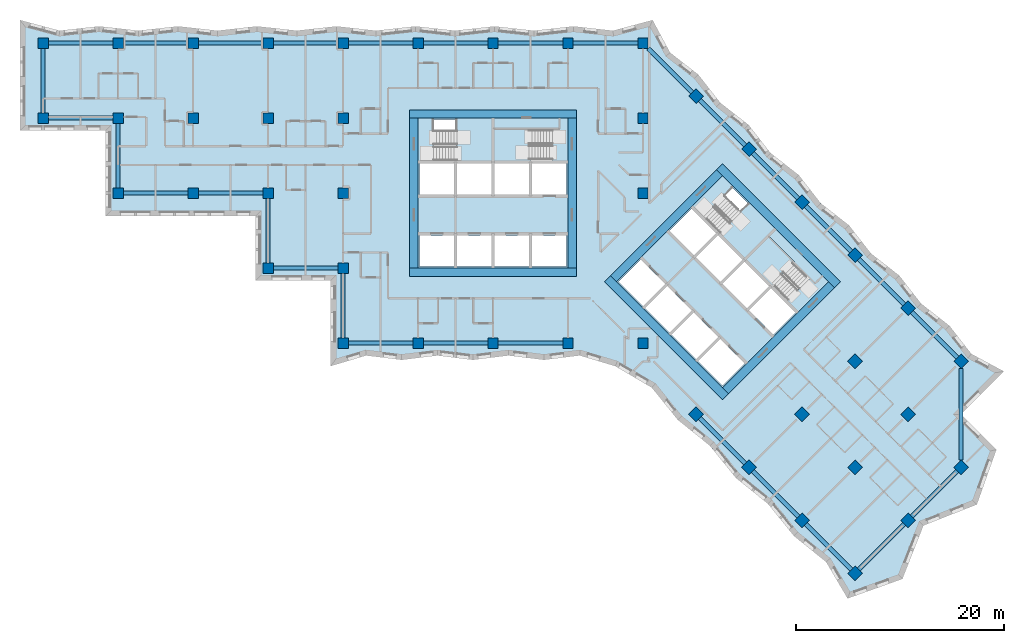
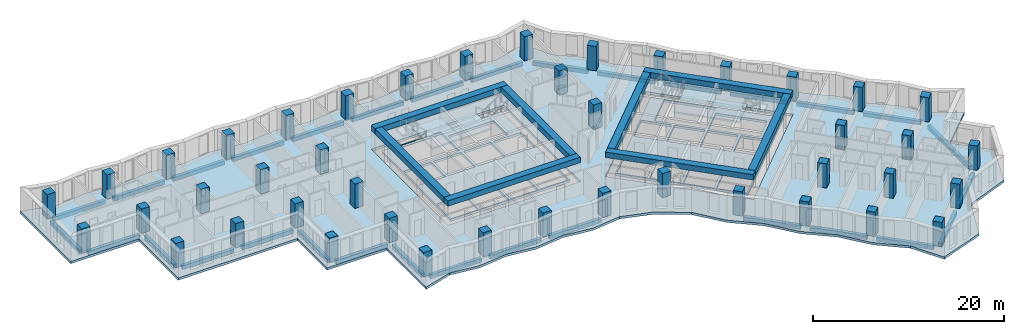
# One storey, part 1 of 13: 43 columns, 39 beams, 7 slabs, 22 openings, 4 elements without a shape of their own.
"""IFC4 building model written with IfcOpenShell, lengths in metres."""

from ifc_helpers import new_model, si_unit, direction, frame, origin, origin_2d, place, context, subcontext, project, spatial, polyline, rectangle, outline, extrude, material, layer, layer_set, material_profile, profile_set, type_object, element, aggregate, save


model = new_model("IFC4")

# Units and contexts
model_context = context("Model", 3, precision=1e-05, world=origin(), true_north=direction((0.0, 1.0)))
body_context = subcontext(model_context, "Body", "Model", "MODEL_VIEW")
ifc_project = project(units=[si_unit("LENGTHUNIT", "METRE"), si_unit("AREAUNIT", "SQUARE_METRE"), si_unit("VOLUMEUNIT", "CUBIC_METRE"), si_unit("PLANEANGLEUNIT", "RADIAN"), si_unit("MASSUNIT", "GRAM", prefix="KILO")], contexts=[model_context])

# Site, building, storey
site_placement = place(None, origin())
site = spatial("IfcSite", under=ifc_project, at=site_placement, CompositionType="ELEMENT")
building_placement = place(site_placement, origin())
building = spatial("IfcBuilding", under=site, at=building_placement, Name="Windrow Commons", CompositionType="ELEMENT")
storey_placement = place(building_placement, frame((0.0, 0.0, 94.8)))
storey = spatial("IfcBuildingStorey", under=building, at=storey_placement, Name="L25", CompositionType="ELEMENT", Elevation=94.8)

# Columns
ifc_material_1 = material(Name="Concrete C60/75", Category="concrete")
ifc_material_profile_1 = material_profile(ifc_material_1, rectangle(XDim=1.0, YDim=1.0, at=origin_2d()))
ifc_profile_set_1 = profile_set([ifc_material_profile_1], Name="Concrete C60/75")
column_type = type_object("IfcColumnType", Name="RC COLUMN 1000x1000 C60/75", PredefinedType="COLUMN", material=ifc_profile_set_1)
for number, where, z_axis, x_axis, name in (
    (1, (21.6, 64.8, 0.0), (0.0, 0.0, 1.0), (1.0, 0.0, 0.0), "C-Z2-04I"),
    (2, (21.6, 72.0, 0.0), (0.0, 0.0, 1.0), (1.0, 0.0, 0.0), "C-Z2-04J"),
    (3, (28.8, 57.6, 0.0), (0.0, 0.0, 1.0), (1.0, 0.0, 0.0), "C-Z2-05H"),
    (4, (28.8, 64.8, 0.0), (0.0, 0.0, 1.0), (1.0, 0.0, 0.0), "C-Z2-05I"),
    (5, (28.8, 72.0, 0.0), (0.0, 0.0, 1.0), (1.0, 0.0, 0.0), "C-Z2-05J"),
    (6, (36.0, 57.6, 0.0), (0.0, 0.0, 1.0), (1.0, 0.0, 0.0), "C-Z2-06H"),
    (7, (36.0, 64.8, 0.0), (0.0, 0.0, 1.0), (1.0, 0.0, 0.0), "C-Z2-06I"),
    (8, (36.0, 72.0, 0.0), (0.0, 0.0, 1.0), (1.0, 0.0, 0.0), "C-Z2-06J"),
    (9, (43.2, 50.4, 0.0), (0.0, 0.0, 1.0), (1.0, 0.0, 0.0), "C-Z2-07G"),
    (10, (43.2, 57.6, 0.0), (0.0, 0.0, 1.0), (1.0, 0.0, 0.0), "C-Z2-07H"),
    (11, (43.2, 64.8, 0.0), (0.0, 0.0, 1.0), (1.0, 0.0, 0.0), "C-Z2-07I"),
    (12, (43.2, 72.0, 0.0), (0.0, 0.0, 1.0), (1.0, 0.0, 0.0), "C-Z2-07J"),
    (13, (50.4, 43.2, 0.0), (0.0, 0.0, 1.0), (1.0, 0.0, 0.0), "C-Z2-08F"),
    (14, (50.4, 50.4, 0.0), (0.0, 0.0, 1.0), (1.0, 0.0, 0.0), "C-Z2-08G"),
    (15, (50.4, 57.6, 0.0), (0.0, 0.0, 1.0), (1.0, 0.0, 0.0), "C-Z2-08H"),
    (16, (50.4, 64.8, 0.0), (0.0, 0.0, 1.0), (1.0, 0.0, 0.0), "C-Z2-08I"),
    (17, (50.4, 72.0, 0.0), (0.0, 0.0, 1.0), (1.0, 0.0, 0.0), "C-Z2-08J"),
    (18, (57.6, 43.2, 0.0), (0.0, 0.0, 1.0), (1.0, 0.0, 0.0), "C-Z2-09F"),
    (19, (57.6, 72.0, 0.0), (0.0, 0.0, 1.0), (1.0, 0.0, 0.0), "C-Z2-09J"),
    (20, (64.8, 43.2, 0.0), (0.0, 0.0, 1.0), (1.0, 0.0, 0.0), "C-Z2-10F"),
    (21, (64.8, 72.0, 0.0), (0.0, 0.0, 1.0), (1.0, 0.0, 0.0), "C-Z2-10J"),
    (22, (72.0, 43.2, 0.0), (0.0, 0.0, 1.0), (1.0, 0.0, 0.0), "C-Z2-11F"),
    (23, (72.0, 72.0, 0.0), (0.0, 0.0, 1.0), (1.0, 0.0, 0.0), "C-Z2-11J"),
    (24, (79.2, 43.2, 0.0), (0.0, 0.0, 1.0), (1.0, 0.0, 0.0), "C-Z2-12F"),
    (25, (79.2, 57.6, 0.0), (0.0, 0.0, 1.0), (1.0, 0.0, 0.0), "C-Z2-12H"),
    (26, (79.2, 64.8, 0.0), (0.0, 0.0, 1.0), (1.0, 0.0, 0.0), "C-Z2-12I"),
    (27, (79.2, 72.0, 0.0), (0.0, 0.0, 1.0), (1.0, 0.0, 0.0), "C-Z2-12J"),
    (28, (84.2912, 66.9088, 0.0), (0.0, 0.0, 1.0), (0.7071067812, -0.7071067812, 0.0), "C-Z2-P2Q"),
    (29, (89.3823, 61.8177, 0.0), (0.0, 0.0, 1.0), (0.7071067812, -0.7071067812, 0.0), "C-Z2-P3Q"),
    (30, (94.4735, 56.7265, 0.0), (0.0, 0.0, 1.0), (0.7071067812, -0.7071067812, 0.0), "C-Z2-P4Q"),
    (31, (99.5647, 51.6353, 0.0), (0.0, 0.0, 1.0), (0.7071067812, -0.7071067812, 0.0), "C-Z2-P5Q"),
    (32, (84.2912, 36.3618, 0.0), (0.0, 0.0, 1.0), (0.7071067812, -0.7071067812, 0.0), "C-Z2-P5T"),
    (33, (104.6558, 46.5442, 0.0), (0.0, 0.0, 1.0), (0.7071067812, -0.7071067812, 0.0), "C-Z2-P6Q"),
    (34, (99.5647, 41.453, 0.0), (0.0, 0.0, 1.0), (0.7071067812, -0.7071067812, 0.0), "C-Z2-P6R"),
    (35, (94.4735, 36.3618, 0.0), (0.0, 0.0, 1.0), (0.7071067812, -0.7071067812, 0.0), "C-Z2-P6S"),
    (36, (89.3823, 31.2706, 0.0), (0.0, 0.0, 1.0), (0.7071067812, -0.7071067812, 0.0), "C-Z2-P6T"),
    (37, (109.747, 41.453, 0.0), (0.0, 0.0, 1.0), (0.7071067812, -0.7071067812, 0.0), "C-Z2-P7Q"),
    (38, (104.6558, 36.3618, 0.0), (0.0, 0.0, 1.0), (0.7071067812, -0.7071067812, 0.0), "C-Z2-P7R"),
    (39, (99.5647, 31.2706, 0.0), (0.0, 0.0, 1.0), (0.7071067812, -0.7071067812, 0.0), "C-Z2-P7S"),
    (40, (94.4735, 26.1795, 0.0), (0.0, 0.0, 1.0), (0.7071067812, -0.7071067812, 0.0), "C-Z2-P7T"),
    (41, (109.747, 31.2706, 0.0), (0.0, 0.0, 1.0), (0.7071067812, -0.7071067812, 0.0), "C-Z2-P8R"),
    (42, (104.6558, 26.1795, 0.0), (0.0, 0.0, 1.0), (0.7071067812, -0.7071067812, 0.0), "C-Z2-P8S"),
    (43, (99.5647, 21.0883, 0.0), (0.0, 0.0, 1.0), (0.7071067812, -0.7071067812, 0.0), "C-Z2-P8T"),
):
    element("IfcColumn", number, at=place(storey_placement, frame(where, z_axis=z_axis, x_axis=x_axis)), inside=storey, type_object=column_type, Name=name, PredefinedType="COLUMN", context=body_context, shape_type="SweptSolid", body=[
        extrude(rectangle(XDim=1.0, YDim=1.0, at=origin_2d()), origin(), (0.0, 0.0, 1.0), 3.1),
    ])

# Beams
ifc_material_2 = material(Name="Concrete C50/60", Category="concrete")
ifc_material_profile_2 = material_profile(ifc_material_2, rectangle(XDim=0.8, YDim=0.7, at=origin_2d()))
ifc_profile_set_2 = profile_set([ifc_material_profile_2], Name="Concrete C50/60")
beam_type_1 = type_object("IfcBeamType", Name="RC COUPLING BEAM 800x700 C50/60", PredefinedType="LINTEL", material=ifc_profile_set_2)
for number, where, z_axis, x_axis, name in (
    (44, (56.8, 50.0, 2.75), (1.0, 0.0, 0.0), (0.0, 1.0, 0.0), "Core A coupling beam outer-S"),
    (45, (56.8, 65.2, 2.75), (1.0, 0.0, 0.0), (0.0, 1.0, 0.0), "Core A coupling beam outer-N"),
):
    element("IfcBeam", number, at=place(storey_placement, frame(where, z_axis=z_axis, x_axis=x_axis)), inside=storey, type_object=beam_type_1, Name=name, PredefinedType="LINTEL", context=body_context, shape_type="SweptSolid", body=[
        extrude(rectangle(XDim=0.8, YDim=0.7, at=origin_2d()), origin(), (0.0, 0.0, 1.0), 16.0),
    ])
for number, where, z_axis, x_axis, name in (
    (46, (57.2, 50.4, 2.75), (0.0, 1.0, 0.0), (-1.0, 0.0, 0.0), "Core A coupling beam outer-W"),
    (47, (72.4, 50.4, 2.75), (0.0, 1.0, 0.0), (-1.0, 0.0, 0.0), "Core A coupling beam outer-E"),
):
    element("IfcBeam", number, at=place(storey_placement, frame(where, z_axis=z_axis, x_axis=x_axis)), inside=storey, type_object=beam_type_1, Name=name, PredefinedType="LINTEL", context=body_context, shape_type="SweptSolid", body=[
        extrude(rectangle(XDim=0.8, YDim=0.7, at=origin_2d()), origin(), (0.0, 0.0, 1.0), 14.4),
    ])
for number, where, z_axis, x_axis, name in (
    (48, (75.8059, 49.3726, 2.75), (0.7071067812, -0.7071067812, 0.0), (0.7071067812, 0.7071067812, 0.0), "Core B coupling beam outer-S"),
    (49, (86.5539, 60.1206, 2.75), (0.7071067812, -0.7071067812, 0.0), (0.7071067812, 0.7071067812, 0.0), "Core B coupling beam outer-N"),
):
    element("IfcBeam", number, at=place(storey_placement, frame(where, z_axis=z_axis, x_axis=x_axis)), inside=storey, type_object=beam_type_1, Name=name, PredefinedType="LINTEL", context=body_context, shape_type="SweptSolid", body=[
        extrude(rectangle(XDim=0.8, YDim=0.7, at=origin_2d()), origin(), (0.0, 0.0, 1.0), 16.0),
    ])
for number, where, z_axis, x_axis, name in (
    (50, (76.3716, 49.3726, 2.75), (0.7071067812, 0.7071067812, 0.0), (-0.7071067812, 0.7071067812, 0.0), "Core B coupling beam outer-W"),
    (51, (87.1196, 38.6246, 2.75), (0.7071067812, 0.7071067812, 0.0), (-0.7071067812, 0.7071067812, 0.0), "Core B coupling beam outer-E"),
):
    element("IfcBeam", number, at=place(storey_placement, frame(where, z_axis=z_axis, x_axis=x_axis)), inside=storey, type_object=beam_type_1, Name=name, PredefinedType="LINTEL", context=body_context, shape_type="SweptSolid", body=[
        extrude(rectangle(XDim=0.8, YDim=0.7, at=origin_2d()), origin(), (0.0, 0.0, 1.0), 14.3999),
    ])
ifc_material_3 = material(Name="Concrete C50/60", Category="concrete")
ifc_material_profile_3 = material_profile(ifc_material_3, rectangle(XDim=0.4, YDim=0.5, at=origin_2d()))
ifc_profile_set_3 = profile_set([ifc_material_profile_3], Name="Concrete C50/60")
beam_type_2 = type_object("IfcBeamType", Name="RC EDGE BEAM 400x500 C50/60", PredefinedType="SPANDREL", material=ifc_profile_set_3)
for number, where, z_axis, x_axis, name in (
    (52, (35.5, 57.6, -0.55), (-1.0, 0.0, 0.0), (0.0, -1.0, 0.0), "Edge beam L25 001"),
    (53, (28.8, 58.1, -0.55), (0.0, 1.0, 0.0), (-1.0, 0.0, 0.0), "Edge beam L25 002"),
    (54, (28.3, 64.8, -0.55), (-1.0, 0.0, 0.0), (0.0, -1.0, 0.0), "Edge beam L25 003"),
    (55, (21.6, 65.3, -0.55), (0.0, 1.0, 0.0), (-1.0, 0.0, 0.0), "Edge beam L25 004"),
    (56, (22.1, 72.0, -0.55), (1.0, 0.0, 0.0), (0.0, 1.0, 0.0), "Edge beam L25 005"),
    (57, (29.3, 72.0, -0.55), (1.0, 0.0, 0.0), (0.0, 1.0, 0.0), "Edge beam L25 006"),
    (58, (36.5, 72.0, -0.55), (1.0, 0.0, 0.0), (0.0, 1.0, 0.0), "Edge beam L25 007"),
    (59, (43.7, 72.0, -0.55), (1.0, 0.0, 0.0), (0.0, 1.0, 0.0), "Edge beam L25 008"),
    (60, (50.9, 72.0, -0.55), (1.0, 0.0, 0.0), (0.0, 1.0, 0.0), "Edge beam L25 009"),
    (61, (58.1, 72.0, -0.55), (1.0, 0.0, 0.0), (0.0, 1.0, 0.0), "Edge beam L25 010"),
    (62, (65.3, 72.0, -0.55), (1.0, 0.0, 0.0), (0.0, 1.0, 0.0), "Edge beam L25 011"),
    (63, (72.5, 72.0, -0.55), (1.0, 0.0, 0.0), (0.0, 1.0, 0.0), "Edge beam L25 012"),
):
    element("IfcBeam", number, at=place(storey_placement, frame(where, z_axis=z_axis, x_axis=x_axis)), inside=storey, type_object=beam_type_2, Name=name, PredefinedType="SPANDREL", context=body_context, shape_type="SweptSolid", body=[
        extrude(rectangle(XDim=0.4, YDim=0.5, at=origin_2d()), origin(), (0.0, 0.0, 1.0), 6.2),
    ])
beam_1_placement = place(storey_placement, frame((79.7, 71.5, -0.55), z_axis=(0.7071067812, -0.7071067812, 0.0), x_axis=(0.7071067812, 0.7071067812, 0.0)))
element("IfcBeam", 64, at=beam_1_placement, inside=storey, type_object=beam_type_2, Name="Edge beam L25 013", PredefinedType="SPANDREL", context=body_context, shape_type="SweptSolid", body=[
    extrude(rectangle(XDim=0.4, YDim=0.5, at=origin_2d()), origin(), (0.0, 0.0, 1.0), 5.9929),
])
beam_2_placement = place(storey_placement, frame((84.6448, 66.5552, -0.55), z_axis=(0.7071067812, -0.7071067812, 0.0), x_axis=(0.7071067812, 0.7071067812, 0.0)))
element("IfcBeam", 65, at=beam_2_placement, inside=storey, type_object=beam_type_2, Name="Edge beam L25 014", PredefinedType="SPANDREL", context=body_context, shape_type="SweptSolid", body=[
    extrude(rectangle(XDim=0.4, YDim=0.5, at=origin_2d()), origin(), (0.0, 0.0, 1.0), 6.1998),
])
for number, where, z_axis, x_axis, name in (
    (66, (89.7359, 61.4641, -0.55), (0.7071067812, -0.7071067812, 0.0), (0.7071067812, 0.7071067812, 0.0), "Edge beam L25 015"),
    (67, (94.8271, 56.3729, -0.55), (0.7071067812, -0.7071067812, 0.0), (0.7071067812, 0.7071067812, 0.0), "Edge beam L25 016"),
):
    element("IfcBeam", number, at=place(storey_placement, frame(where, z_axis=z_axis, x_axis=x_axis)), inside=storey, type_object=beam_type_2, Name=name, PredefinedType="SPANDREL", context=body_context, shape_type="SweptSolid", body=[
        extrude(rectangle(XDim=0.4, YDim=0.5, at=origin_2d()), origin(), (0.0, 0.0, 1.0), 6.1999),
    ])
beam_3_placement = place(storey_placement, frame((99.9183, 51.2817, -0.55), z_axis=(0.7071067812, -0.7071067812, 0.0), x_axis=(0.7071067812, 0.7071067812, 0.0)))
element("IfcBeam", 68, at=beam_3_placement, inside=storey, type_object=beam_type_2, Name="Edge beam L25 017", PredefinedType="SPANDREL", context=body_context, shape_type="SweptSolid", body=[
    extrude(rectangle(XDim=0.4, YDim=0.5, at=origin_2d()), origin(), (0.0, 0.0, 1.0), 6.1998),
])
beam_4_placement = place(storey_placement, frame((105.0094, 46.1906, -0.55), z_axis=(0.7071067812, -0.7071067812, 0.0), x_axis=(0.7071067812, 0.7071067812, 0.0)))
element("IfcBeam", 69, at=beam_4_placement, inside=storey, type_object=beam_type_2, Name="Edge beam L25 018", PredefinedType="SPANDREL", context=body_context, shape_type="SweptSolid", body=[
    extrude(rectangle(XDim=0.4, YDim=0.5, at=origin_2d()), origin(), (0.0, 0.0, 1.0), 6.1999),
])
beam_5_placement = place(storey_placement, frame((109.747, 40.7459, -0.55), z_axis=(0.0, -1.0, 0.0), x_axis=(1.0, 0.0, 0.0)))
element("IfcBeam", 70, at=beam_5_placement, inside=storey, type_object=beam_type_2, Name="Edge beam L25 019", PredefinedType="SPANDREL", context=body_context, shape_type="SweptSolid", body=[
    extrude(rectangle(XDim=0.4, YDim=0.5, at=origin_2d()), origin(), (0.0, 0.0, 1.0), 8.7682),
])
for number, where, z_axis, x_axis, name in (
    (71, (109.3934, 30.917, -0.55), (-0.7071148459, -0.7070987164, 0.0), (0.7070987164, -0.7071148459, 0.0), "Edge beam L25 020"),
    (72, (104.3022, 25.8259, -0.55), (-0.7070987164, -0.7071148459, 0.0), (0.7071148459, -0.7070987164, 0.0), "Edge beam L25 021"),
):
    element("IfcBeam", number, at=place(storey_placement, frame(where, z_axis=z_axis, x_axis=x_axis)), inside=storey, type_object=beam_type_2, Name=name, PredefinedType="SPANDREL", context=body_context, shape_type="SweptSolid", body=[
        extrude(rectangle(XDim=0.4, YDim=0.5, at=origin_2d()), origin(), (0.0, 0.0, 1.0), 6.1998),
    ])
beam_6_placement = place(storey_placement, frame((99.2111, 21.4419, -0.55), z_axis=(-0.7071067812, 0.7071067812, 0.0), x_axis=(-0.7071067812, -0.7071067812, 0.0)))
element("IfcBeam", 73, at=beam_6_placement, inside=storey, type_object=beam_type_2, Name="Edge beam L25 022", PredefinedType="SPANDREL", context=body_context, shape_type="SweptSolid", body=[
    extrude(rectangle(XDim=0.4, YDim=0.5, at=origin_2d()), origin(), (0.0, 0.0, 1.0), 6.1999),
])
for number, where, z_axis, x_axis, name in (
    (74, (94.1199, 26.5331, -0.55), (-0.7071148459, 0.7070987164, 0.0), (-0.7070987164, -0.7071148459, 0.0), "Edge beam L25 023"),
    (75, (89.0287, 31.6242, -0.55), (-0.7070987164, 0.7071148459, 0.0), (-0.7071148459, -0.7070987164, 0.0), "Edge beam L25 024"),
):
    element("IfcBeam", number, at=place(storey_placement, frame(where, z_axis=z_axis, x_axis=x_axis)), inside=storey, type_object=beam_type_2, Name=name, PredefinedType="SPANDREL", context=body_context, shape_type="SweptSolid", body=[
        extrude(rectangle(XDim=0.4, YDim=0.5, at=origin_2d()), origin(), (0.0, 0.0, 1.0), 6.1998),
    ])
for number, where, z_axis, x_axis, name in (
    (76, (71.5, 43.2, -0.55), (-1.0, 0.0, 0.0), (0.0, -1.0, 0.0), "Edge beam L25 025"),
    (77, (64.3, 43.2, -0.55), (-1.0, 0.0, 0.0), (0.0, -1.0, 0.0), "Edge beam L25 026"),
    (78, (57.1, 43.2, -0.55), (-1.0, 0.0, 0.0), (0.0, -1.0, 0.0), "Edge beam L25 027"),
    (79, (50.4, 43.7, -0.55), (0.0, 1.0, 0.0), (-1.0, 0.0, 0.0), "Edge beam L25 028"),
    (80, (49.9, 50.4, -0.55), (-1.0, 0.0, 0.0), (0.0, -1.0, 0.0), "Edge beam L25 029"),
    (81, (43.2, 50.9, -0.55), (0.0, 1.0, 0.0), (-1.0, 0.0, 0.0), "Edge beam L25 030"),
    (82, (42.7, 57.6, -0.55), (-1.0, 0.0, 0.0), (0.0, -1.0, 0.0), "Edge beam L25 031"),
):
    element("IfcBeam", number, at=place(storey_placement, frame(where, z_axis=z_axis, x_axis=x_axis)), inside=storey, type_object=beam_type_2, Name=name, PredefinedType="SPANDREL", context=body_context, shape_type="SweptSolid", body=[
        extrude(rectangle(XDim=0.4, YDim=0.5, at=origin_2d()), origin(), (0.0, 0.0, 1.0), 6.2),
    ])

# Slab, openings
ifc_material_4 = material(Name="Concrete C50/60", Category="concrete")
ifc_layer_1 = layer(ifc_material_4, 0.3)
ifc_layer_set_1 = layer_set([ifc_layer_1], Name="CORE FLOOR SLAB 300 C50/60")
slab_type_1 = type_object("IfcSlabType", Name="CORE FLOOR SLAB 300 C50/60", PredefinedType="FLOOR", material=ifc_layer_set_1)
placement_1 = place(storey_placement, frame((0.0, 0.0, -0.3)))
slab_1 = element("IfcSlab", 83, at=placement_1, inside=storey, type_object=slab_type_1, Name="S-L25-core-A", PredefinedType="FLOOR", context=body_context, shape_type="SweptSolid", body=[
    extrude(outline(polyline([(57.6, 50.4), (72.0, 50.4), (72.0, 64.8), (57.6, 64.8), (57.6, 50.4)]), holes=[polyline([(57.75, 50.55), (61.05, 50.55), (61.05, 53.55), (57.75, 53.55), (57.75, 50.55)]), polyline([(61.35, 50.55), (64.65, 50.55), (64.65, 53.55), (61.35, 53.55), (61.35, 50.55)]), polyline([(64.95, 50.55), (68.25, 50.55), (68.25, 53.55), (64.95, 53.55), (64.95, 50.55)]), polyline([(68.55, 50.55), (71.85, 50.55), (71.85, 53.55), (68.55, 53.55), (68.55, 50.55)]), polyline([(57.75, 57.45), (61.05, 57.45), (61.05, 60.45), (57.75, 60.45), (57.75, 57.45)]), polyline([(61.35, 57.45), (64.65, 57.45), (64.65, 60.45), (61.35, 60.45), (61.35, 57.45)]), polyline([(64.95, 57.45), (68.25, 57.45), (68.25, 60.45), (64.95, 60.45), (64.95, 57.45)]), polyline([(68.55, 57.45), (71.85, 57.45), (71.85, 60.45), (68.55, 60.45), (68.55, 57.45)]), polyline([(59.1, 60.75), (64.65, 60.75), (64.65, 64.65), (59.1, 64.65), (59.1, 60.75)]), polyline([(64.95, 60.75), (70.5, 60.75), (70.5, 63.705), (64.95, 63.705), (64.95, 60.75)])]), origin(), (0.0, 0.0, 1.0), 0.3),
])
opening_1_placement = place(placement_1, origin())
element("IfcOpeningElement", 84, at=opening_1_placement, cuts=slab_1, Name="Slab opening S-L25-core-A 1", PredefinedType="OPENING", context=body_context, shape_type="SweptSolid", body=[
    extrude(outline(polyline([(57.755, 50.555), (57.755, 53.545), (61.045, 53.545), (61.045, 50.555), (57.755, 50.555)])), origin(), (0.0, 0.0, 1.0), 0.3),
])
opening_2_placement = place(placement_1, origin())
element("IfcOpeningElement", 85, at=opening_2_placement, cuts=slab_1, Name="Slab opening S-L25-core-A 2", PredefinedType="OPENING", context=body_context, shape_type="SweptSolid", body=[
    extrude(outline(polyline([(61.355, 50.555), (61.355, 53.545), (64.645, 53.545), (64.645, 50.555), (61.355, 50.555)])), origin(), (0.0, 0.0, 1.0), 0.3),
])
opening_3_placement = place(placement_1, origin())
element("IfcOpeningElement", 86, at=opening_3_placement, cuts=slab_1, Name="Slab opening S-L25-core-A 3", PredefinedType="OPENING", context=body_context, shape_type="SweptSolid", body=[
    extrude(outline(polyline([(64.955, 50.555), (64.955, 53.545), (68.245, 53.545), (68.245, 50.555), (64.955, 50.555)])), origin(), (0.0, 0.0, 1.0), 0.3),
])
opening_4_placement = place(placement_1, origin())
element("IfcOpeningElement", 87, at=opening_4_placement, cuts=slab_1, Name="Slab opening S-L25-core-A 4", PredefinedType="OPENING", context=body_context, shape_type="SweptSolid", body=[
    extrude(outline(polyline([(68.555, 50.555), (68.555, 53.545), (71.845, 53.545), (71.845, 50.555), (68.555, 50.555)])), origin(), (0.0, 0.0, 1.0), 0.3),
])
opening_5_placement = place(placement_1, origin())
element("IfcOpeningElement", 88, at=opening_5_placement, cuts=slab_1, Name="Slab opening S-L25-core-A 5", PredefinedType="OPENING", context=body_context, shape_type="SweptSolid", body=[
    extrude(outline(polyline([(57.755, 57.455), (57.755, 60.445), (61.045, 60.445), (61.045, 57.455), (57.755, 57.455)])), origin(), (0.0, 0.0, 1.0), 0.3),
])
opening_6_placement = place(placement_1, origin())
element("IfcOpeningElement", 89, at=opening_6_placement, cuts=slab_1, Name="Slab opening S-L25-core-A 6", PredefinedType="OPENING", context=body_context, shape_type="SweptSolid", body=[
    extrude(outline(polyline([(61.355, 57.455), (61.355, 60.445), (64.645, 60.445), (64.645, 57.455), (61.355, 57.455)])), origin(), (0.0, 0.0, 1.0), 0.3),
])
opening_7_placement = place(placement_1, origin())
element("IfcOpeningElement", 90, at=opening_7_placement, cuts=slab_1, Name="Slab opening S-L25-core-A 7", PredefinedType="OPENING", context=body_context, shape_type="SweptSolid", body=[
    extrude(outline(polyline([(64.955, 57.455), (64.955, 60.445), (68.245, 60.445), (68.245, 57.455), (64.955, 57.455)])), origin(), (0.0, 0.0, 1.0), 0.3),
])
opening_8_placement = place(placement_1, origin())
element("IfcOpeningElement", 91, at=opening_8_placement, cuts=slab_1, Name="Slab opening S-L25-core-A 8", PredefinedType="OPENING", context=body_context, shape_type="SweptSolid", body=[
    extrude(outline(polyline([(68.555, 57.455), (68.555, 60.445), (71.845, 60.445), (71.845, 57.455), (68.555, 57.455)])), origin(), (0.0, 0.0, 1.0), 0.3),
])
opening_9_placement = place(placement_1, origin())
element("IfcOpeningElement", 92, at=opening_9_placement, cuts=slab_1, Name="Slab opening S-L25-core-A 9", PredefinedType="OPENING", context=body_context, shape_type="SweptSolid", body=[
    extrude(outline(polyline([(59.105, 60.755), (59.105, 64.645), (64.645, 64.645), (64.645, 60.755), (59.105, 60.755)])), origin(), (0.0, 0.0, 1.0), 0.3),
])
opening_10_placement = place(placement_1, origin())
element("IfcOpeningElement", 93, at=opening_10_placement, cuts=slab_1, Name="Slab opening S-L25-core-A 10", PredefinedType="OPENING", context=body_context, shape_type="SweptSolid", body=[
    extrude(outline(polyline([(64.955, 60.755), (64.955, 63.7), (70.495, 63.7), (70.495, 60.755), (64.955, 60.755)])), origin(), (0.0, 0.0, 1.0), 0.3),
])

slab_2 = element("IfcSlab", 94, at=placement_1, inside=storey, type_object=slab_type_1, Name="S-L25-core-B", PredefinedType="FLOOR", context=body_context, shape_type="SweptSolid", body=[
    extrude(outline(polyline([(76.6544, 49.0897), (86.8368, 38.9074), (97.0191, 49.0897), (86.8368, 59.2721), (76.6544, 49.0897)]), holes=[polyline([(76.8665, 49.0897), (79.2, 46.7563), (81.3213, 48.8776), (78.9879, 51.2111), (76.8665, 49.0897)]), polyline([(79.4121, 46.5442), (81.7456, 44.2107), (83.8669, 46.332), (81.5335, 48.6655), (79.4121, 46.5442)]), polyline([(81.9577, 43.9986), (84.2912, 41.6651), (86.4125, 43.7864), (84.079, 46.1199), (81.9577, 43.9986)]), polyline([(84.5033, 41.453), (86.8368, 39.1195), (88.9581, 41.2409), (86.6246, 43.5743), (84.5033, 41.453)]), polyline([(81.7456, 53.9688), (84.079, 51.6353), (86.2004, 53.7566), (83.8669, 56.0901), (81.7456, 53.9688)]), polyline([(84.2912, 51.4232), (86.6246, 49.0897), (88.7459, 51.2111), (86.4125, 53.5445), (84.2912, 51.4232)]), polyline([(86.8368, 48.8776), (89.1702, 46.5442), (91.2915, 48.6655), (88.9581, 50.9989), (86.8368, 48.8776)]), polyline([(89.3823, 46.332), (91.7158, 43.9986), (93.8371, 46.1199), (91.5037, 48.4533), (89.3823, 46.332)]), polyline([(85.0336, 55.3476), (88.9581, 51.4232), (91.7158, 54.1809), (87.7913, 58.1054), (85.0336, 55.3476)]), polyline([(89.1702, 51.2111), (93.0946, 47.2866), (95.1841, 49.3761), (91.2597, 53.3006), (89.1702, 51.2111)])]), origin(), (0.0, 0.0, 1.0), 0.3),
])
opening_11_placement = place(placement_1, origin())
element("IfcOpeningElement", 95, at=opening_11_placement, cuts=slab_2, Name="Slab opening S-L25-core-B 1", PredefinedType="OPENING", context=body_context, shape_type="SweptSolid", body=[
    extrude(outline(polyline([(76.8736, 49.0897), (78.9879, 51.204), (81.3142, 48.8776), (79.2, 46.7634), (76.8736, 49.0897)])), origin(), (0.0, 0.0, 1.0), 0.3),
])
opening_12_placement = place(placement_1, origin())
element("IfcOpeningElement", 96, at=opening_12_placement, cuts=slab_2, Name="Slab opening S-L25-core-B 2", PredefinedType="OPENING", context=body_context, shape_type="SweptSolid", body=[
    extrude(outline(polyline([(79.4192, 46.5442), (81.5335, 48.6584), (83.8598, 46.332), (81.7456, 44.2178), (79.4192, 46.5442)])), origin(), (0.0, 0.0, 1.0), 0.3),
])
opening_13_placement = place(placement_1, origin())
element("IfcOpeningElement", 97, at=opening_13_placement, cuts=slab_2, Name="Slab opening S-L25-core-B 3", PredefinedType="OPENING", context=body_context, shape_type="SweptSolid", body=[
    extrude(outline(polyline([(81.9648, 43.9986), (84.079, 46.1128), (86.4054, 43.7864), (84.2912, 41.6722), (81.9648, 43.9986)])), origin(), (0.0, 0.0, 1.0), 0.3),
])
opening_14_placement = place(placement_1, origin())
element("IfcOpeningElement", 98, at=opening_14_placement, cuts=slab_2, Name="Slab opening S-L25-core-B 4", PredefinedType="OPENING", context=body_context, shape_type="SweptSolid", body=[
    extrude(outline(polyline([(84.5104, 41.453), (86.6246, 43.5672), (88.951, 41.2409), (86.8368, 39.1266), (84.5104, 41.453)])), origin(), (0.0, 0.0, 1.0), 0.3),
])
opening_15_placement = place(placement_1, origin())
element("IfcOpeningElement", 99, at=opening_15_placement, cuts=slab_2, Name="Slab opening S-L25-core-B 5", PredefinedType="OPENING", context=body_context, shape_type="SweptSolid", body=[
    extrude(outline(polyline([(81.7527, 53.9688), (83.8669, 56.083), (86.1933, 53.7566), (84.079, 51.6424), (81.7527, 53.9688)])), origin(), (0.0, 0.0, 1.0), 0.3),
])
opening_16_placement = place(placement_1, origin())
element("IfcOpeningElement", 100, at=opening_16_placement, cuts=slab_2, Name="Slab opening S-L25-core-B 6", PredefinedType="OPENING", context=body_context, shape_type="SweptSolid", body=[
    extrude(outline(polyline([(84.2983, 51.4232), (86.4125, 53.5374), (88.7388, 51.2111), (86.6246, 49.0968), (84.2983, 51.4232)])), origin(), (0.0, 0.0, 1.0), 0.3),
])
opening_17_placement = place(placement_1, origin())
element("IfcOpeningElement", 101, at=opening_17_placement, cuts=slab_2, Name="Slab opening S-L25-core-B 7", PredefinedType="OPENING", context=body_context, shape_type="SweptSolid", body=[
    extrude(outline(polyline([(86.8439, 48.8776), (88.9581, 50.9918), (91.2844, 48.6655), (89.1702, 46.5513), (86.8439, 48.8776)])), origin(), (0.0, 0.0, 1.0), 0.3),
])
opening_18_placement = place(placement_1, origin())
element("IfcOpeningElement", 102, at=opening_18_placement, cuts=slab_2, Name="Slab opening S-L25-core-B 8", PredefinedType="OPENING", context=body_context, shape_type="SweptSolid", body=[
    extrude(outline(polyline([(89.3894, 46.332), (91.5037, 48.4462), (93.83, 46.1199), (91.7158, 44.0057), (89.3894, 46.332)])), origin(), (0.0, 0.0, 1.0), 0.3),
])
opening_19_placement = place(placement_1, origin())
element("IfcOpeningElement", 103, at=opening_19_placement, cuts=slab_2, Name="Slab opening S-L25-core-B 9", PredefinedType="OPENING", context=body_context, shape_type="SweptSolid", body=[
    extrude(outline(polyline([(85.0407, 55.3476), (87.7913, 58.0983), (91.7087, 54.1809), (88.9581, 51.4303), (85.0407, 55.3476)])), origin(), (0.0, 0.0, 1.0), 0.3),
])
opening_20_placement = place(placement_1, origin())
element("IfcOpeningElement", 104, at=opening_20_placement, cuts=slab_2, Name="Slab opening S-L25-core-B 10", PredefinedType="OPENING", context=body_context, shape_type="SweptSolid", body=[
    extrude(outline(polyline([(89.1773, 51.2111), (91.2597, 53.2935), (95.177, 49.3761), (93.0946, 47.2937), (89.1773, 51.2111)])), origin(), (0.0, 0.0, 1.0), 0.3),
])

# Stair, slab
ifc_material_5 = material(Name="Concrete C40/50", Category="concrete")
stair_type = type_object("IfcStairType", Name="Core stair", PredefinedType="HALF_TURN_STAIR", material=ifc_material_5)
placement_2 = place(storey_placement, origin())
stair_1 = element("IfcStair", 105, at=placement_2, inside=storey, type_object=stair_type, Name="L25 Exit stair A1 core A", PredefinedType="HALF_TURN_STAIR")
ifc_material_6 = material(Name="Concrete C40/50", Category="concrete")
ifc_layer_2 = layer(ifc_material_6, 0.2)
ifc_layer_set_2 = layer_set([ifc_layer_2], Name="Core stair landing")
slab_type_2 = type_object("IfcSlabType", Name="Core stair landing", PredefinedType="LANDING", material=ifc_layer_set_2)
placement_3 = place(storey_placement, frame((0.0, 0.0, 1.5)))
slab_3 = element("IfcSlab", 106, at=placement_3, type_object=slab_type_2, Name="ST-A1 landing 1", PredefinedType="LANDING", context=body_context, shape_type="SweptSolid", body=[
    extrude(outline(polyline([(61.22, 60.5), (64.8, 60.5), (64.8, 64.9), (61.22, 64.9), (61.22, 60.5)])), origin(), (0.0, 0.0, 1.0), 0.2),
])
aggregate(stair_1, [slab_3])

stair_2 = element("IfcStair", 107, at=placement_2, inside=storey, type_object=stair_type, Name="L25 Exit stair A2 core A", PredefinedType="HALF_TURN_STAIR")
slab_4 = element("IfcSlab", 108, at=placement_3, type_object=slab_type_2, Name="ST-A2 landing 1", PredefinedType="LANDING", context=body_context, shape_type="SweptSolid", body=[
    extrude(outline(polyline([(64.8, 60.5), (68.38, 60.5), (68.38, 63.855), (64.8, 63.855), (64.8, 60.5)])), origin(), (0.0, 0.0, 1.0), 0.2),
])
aggregate(stair_2, [slab_4])

stair_3 = element("IfcStair", 109, at=placement_2, inside=storey, type_object=stair_type, Name="L25 Exit stair B1 core B", PredefinedType="HALF_TURN_STAIR")
slab_5 = element("IfcSlab", 110, at=placement_3, type_object=slab_type_2, Name="ST-B1 landing 1", PredefinedType="LANDING", context=body_context, shape_type="SweptSolid", body=[
    extrude(outline(polyline([(86.3559, 53.6718), (88.8874, 51.1403), (91.9986, 54.2516), (89.4672, 56.7831), (86.3559, 53.6718)])), origin(), (0.0, 0.0, 1.0), 0.2),
])
aggregate(stair_3, [slab_5])

stair_4 = element("IfcStair", 111, at=placement_2, inside=storey, type_object=stair_type, Name="L25 Exit stair B2 core B", PredefinedType="HALF_TURN_STAIR")
slab_6 = element("IfcSlab", 112, at=placement_3, type_object=slab_type_2, Name="ST-B2 landing 1", PredefinedType="LANDING", context=body_context, shape_type="SweptSolid", body=[
    extrude(outline(polyline([(88.8874, 51.1403), (91.4188, 48.6089), (93.7911, 50.9812), (91.2597, 53.5127), (88.8874, 51.1403)])), origin(), (0.0, 0.0, 1.0), 0.2),
])
aggregate(stair_4, [slab_6])

# Slab, openings
ifc_material_7 = material(Name="Concrete C50/60", Category="concrete")
ifc_layer_3 = layer(ifc_material_7, 0.3)
ifc_layer_set_3 = layer_set([ifc_layer_3], Name="FLOOR SLAB 300 C50/60")
slab_type_3 = type_object("IfcSlabType", Name="FLOOR SLAB 300 C50/60", PredefinedType="FLOOR", material=ifc_layer_set_3)
slab_7 = element("IfcSlab", 113, at=placement_1, inside=storey, type_object=slab_type_3, Name="S-L25-floor", PredefinedType="FLOOR", context=body_context, shape_type="SweptSolid", body=[
    extrude(outline(polyline([(96.776, 22.18), (98.8427, 18.6693), (104.1144, 20.5469), (106.1333, 25.6771), (111.2636, 27.6961), (113.1411, 32.9677), (109.747, 36.3618), (113.8631, 40.4779), (110.7309, 42.1661), (108.6184, 44.874), (105.9104, 46.9866), (103.7979, 49.6945), (101.09, 51.807), (98.9775, 54.5149), (96.2696, 56.6275), (94.1571, 59.3354), (91.4491, 61.4479), (89.3366, 64.1558), (86.6287, 66.2684), (84.5162, 68.9763), (81.8083, 71.0888), (80.12, 74.221), (76.3237, 73.2), (72.5274, 73.621), (68.7311, 73.2), (64.9348, 73.621), (61.1384, 73.2), (57.3421, 73.621), (53.5458, 73.2), (49.7495, 73.621), (45.9532, 73.2), (42.1569, 73.621), (38.3606, 73.2), (34.5643, 73.621), (30.7679, 73.2), (26.9716, 73.621), (23.1753, 73.2), (19.379, 74.221), (19.379, 63.6), (27.6, 63.6), (27.6, 55.379), (42.0, 55.379), (42.0, 49.2), (49.2, 49.2), (49.2, 40.979), (52.6166, 42.0), (56.0332, 41.579), (59.4499, 42.0), (62.8665, 41.579), (66.2831, 42.0), (69.6997, 41.579), (73.1164, 42.0), (76.533, 40.979), (80.0437, 38.9123), (82.5347, 35.8259), (85.6211, 33.3348), (88.1121, 30.2484), (91.1985, 27.7574), (93.6896, 24.671), (96.776, 22.18)]), holes=[polyline([(75.523, 49.0897), (86.8368, 60.4034), (98.1505, 49.0897), (86.8368, 37.776), (75.523, 49.0897)]), polyline([(56.8, 49.6), (56.8, 65.6), (72.8, 65.6), (72.8, 49.6), (56.8, 49.6)])]), origin(), (0.0, 0.0, 1.0), 0.3),
])
opening_21_placement = place(placement_1, origin())
element("IfcOpeningElement", 114, at=opening_21_placement, cuts=slab_7, Name="Slab opening S-L25-floor 1", PredefinedType="OPENING", context=body_context, shape_type="SweptSolid", body=[
    extrude(outline(polyline([(75.5301, 49.0897), (86.8368, 60.3963), (98.1434, 49.0897), (86.8368, 37.7831), (75.5301, 49.0897)])), origin(), (0.0, 0.0, 1.0), 0.3),
])
opening_22_placement = place(placement_1, origin())
element("IfcOpeningElement", 115, at=opening_22_placement, cuts=slab_7, Name="Slab opening S-L25-floor 2", PredefinedType="OPENING", context=body_context, shape_type="SweptSolid", body=[
    extrude(outline(polyline([(56.805, 49.605), (56.805, 65.595), (72.795, 65.595), (72.795, 49.605), (56.805, 49.605)])), origin(), (0.0, 0.0, 1.0), 0.3),
])

save(model, "model.ifc")
